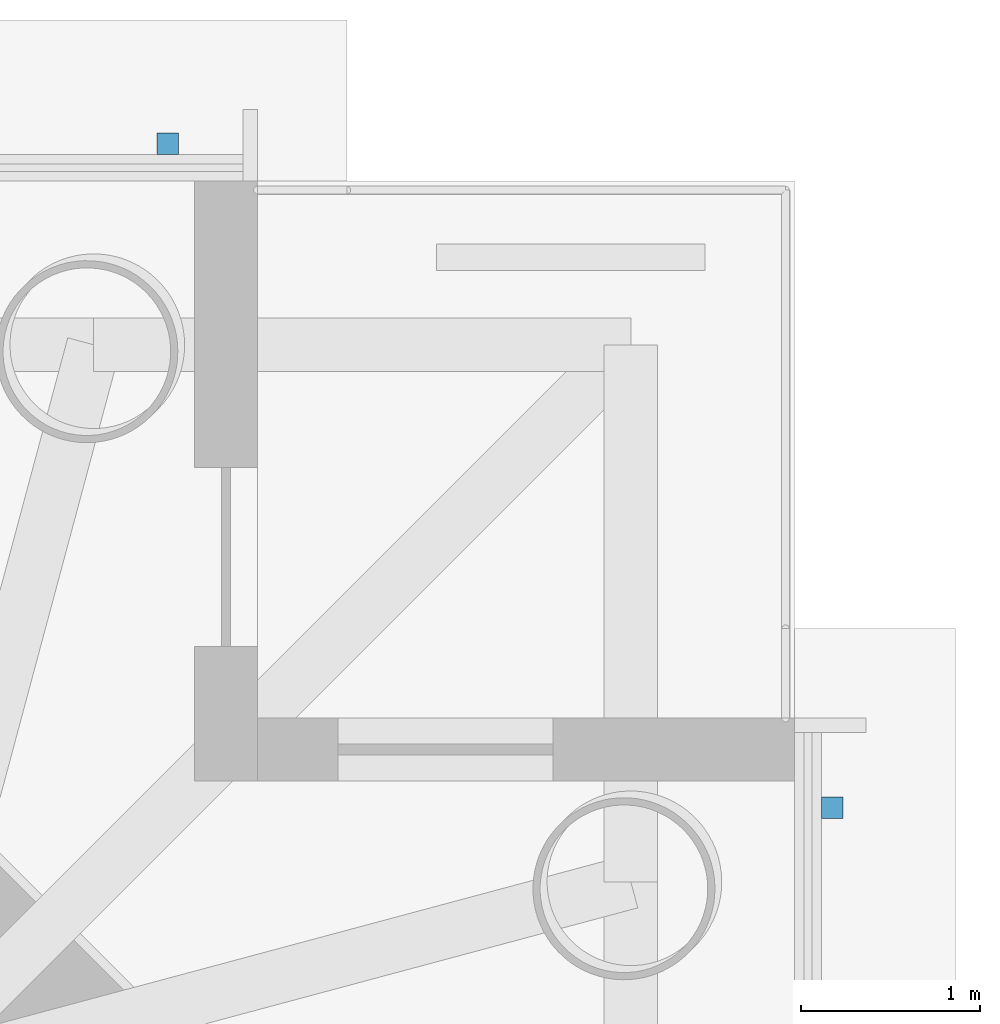
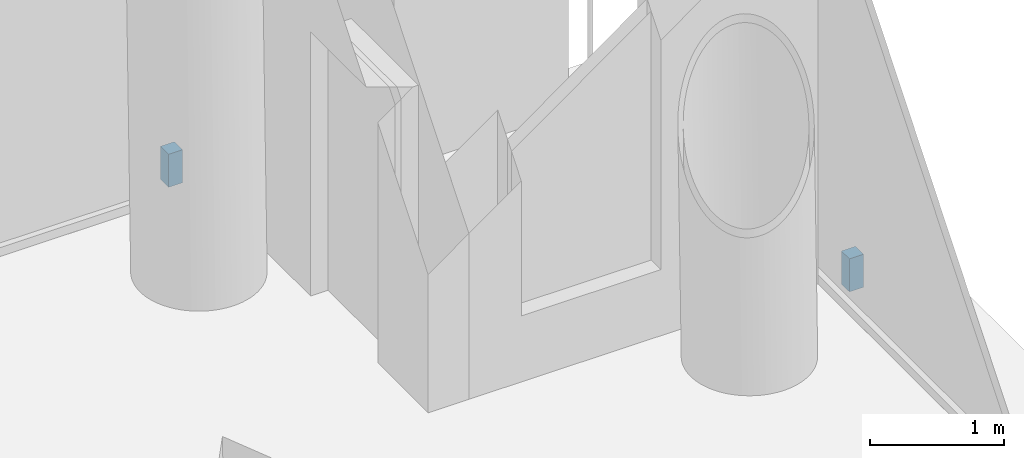
# One storey, part 22 of 27: 2 discrete accessories.
"""IFC4 building model written with IfcOpenShell, lengths in metres."""

from ifc_helpers import new_model, si_unit, direction, frame, origin, origin_2d, place, context, subcontext, project, spatial, rectangle, extrude, material, type_object, element, save


model = new_model("IFC4")

# Units and contexts
model_context = context("Model", 3, precision=1e-05, world=origin(), true_north=direction((0.0, 1.0)))
body_context = subcontext(model_context, "Body", "Model", "MODEL_VIEW")
ifc_project = project(units=[si_unit("LENGTHUNIT", "METRE"), si_unit("AREAUNIT", "SQUARE_METRE"), si_unit("VOLUMEUNIT", "CUBIC_METRE"), si_unit("PLANEANGLEUNIT", "RADIAN"), si_unit("MASSUNIT", "GRAM", prefix="KILO")], contexts=[model_context])

# Site, building, storey
site_placement = place(None, origin())
site = spatial("IfcSite", under=ifc_project, at=site_placement, CompositionType="ELEMENT")
building_placement = place(site_placement, origin())
building = spatial("IfcBuilding", under=site, at=building_placement, Name="Ostroluk Exchange", CompositionType="ELEMENT")
storey_placement = place(building_placement, frame((0.0, 0.0, 112.199951171875)))
storey = spatial("IfcBuildingStorey", under=building, at=storey_placement, Name="L28", CompositionType="ELEMENT", Elevation=112.199951171875)

# Discrete accessories
ifc_material = material(Name="Stainless steel", Category="steel")
discrete_accessory_type = type_object("IfcDiscreteAccessoryType", Name="Fall-arrest anchor PN-EN 795 type C", PredefinedType="USERDEFINED", material=ifc_material)
for number, where, z_axis, x_axis, name in (
    (1, (67.2099609375, 64.5, 0.0), (0.0, 0.0, 1.0), (1.0, 0.0, 0.0), "Fall-arrest anchor L28 east 5"),
    (2, (63.5, 68.2099609375, 0.0), (0.0, 0.0, 1.0), (1.0, 0.0, 0.0), "Fall-arrest anchor L28 north 5"),
):
    element("IfcDiscreteAccessory", number, at=place(storey_placement, frame(where, z_axis=z_axis, x_axis=x_axis)), inside=storey, type_object=discrete_accessory_type, Name=name, ObjectType="FALL ARREST ANCHOR", PredefinedType="USERDEFINED", context=body_context, shape_type="SweptSolid", body=[
        extrude(rectangle(XDim=0.1201171875, YDim=0.1201171875, at=origin_2d()), origin(), (0.0, 0.0, 1.0), 0.300048828125),
    ])

save(model, "model.ifc")
